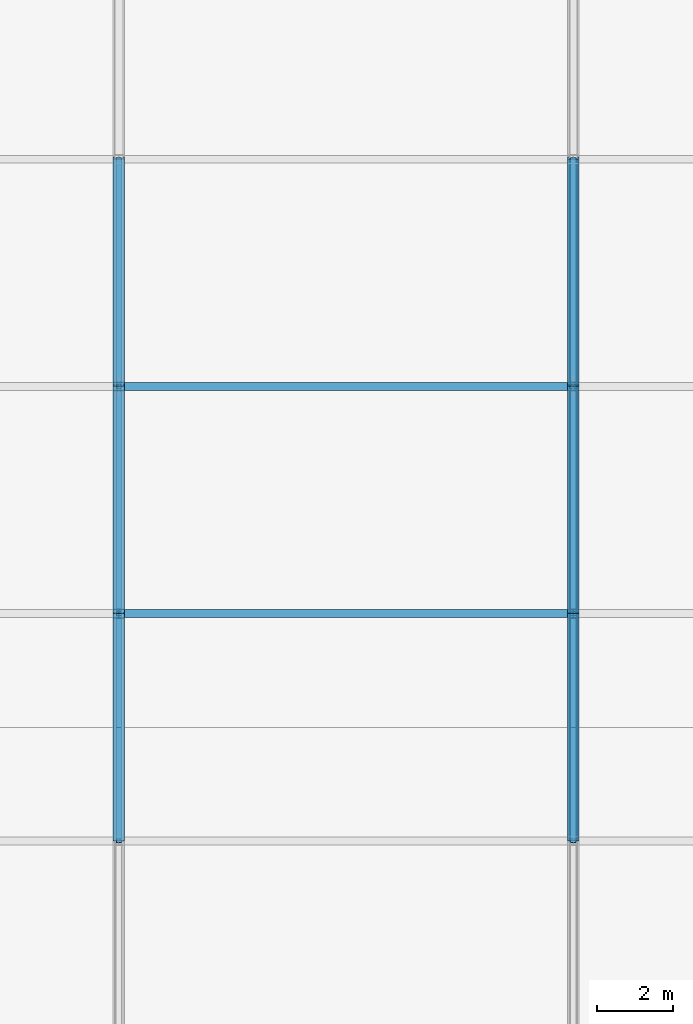
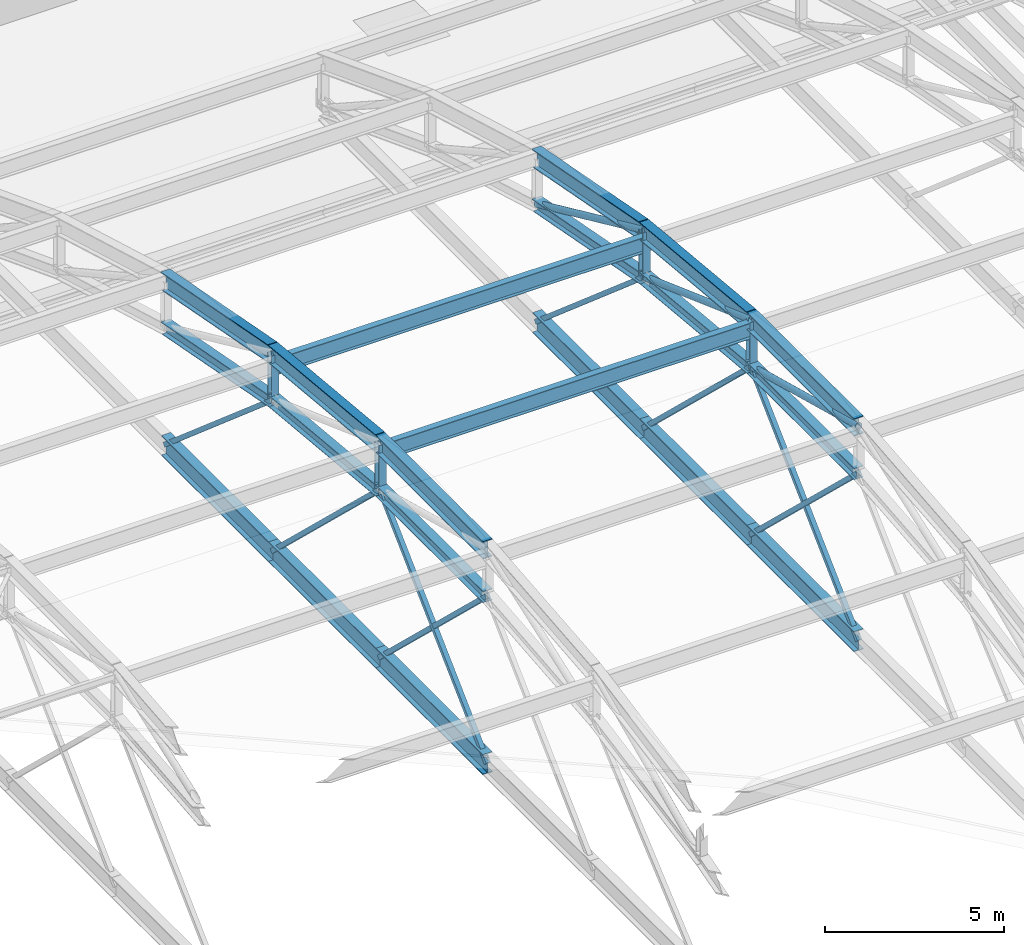
# One storey, part 88 of 204: 35 members.
"""IFC4 building model written with IfcOpenShell, lengths in metres."""

import ifcopenshell
import ifcopenshell.guid

model = None  # the IFC model being written
_history = None  # IfcOwnerHistory: only IFC2X3 demands one
_inside = {}  # id of a spatial element -> (the spatial element, [elements in it])
_under = {}  # id of a project, library or spatial element -> (it, [spatial elements below it])
_declared = {}  # id of a project -> (the project, [libraries it declares])
_typed = {}  # id of a type object -> (the type object, [elements of that type])
_made_of = {}  # id of a material, layer set ... -> (it, [elements and type objects made of it])


def new_model(schema):
    """Start an empty IFC model of exactly this schema.

    Asked for "IFC4X3", IfcOpenShell would pick the latest addendum, in which some entities
    have other attributes; the version numbers below select the first issue.
    IFC2X3 requires an IfcOwnerHistory on every rooted entity: one is made here for all.
    """
    global model, _history
    if schema == "IFC4X3":
        model = ifcopenshell.file(schema_version=(4, 3, 0, 0))
    else:
        model = ifcopenshell.file(schema=schema)
    _inside.clear()
    _under.clear()
    _declared.clear()
    _typed.clear()
    _made_of.clear()
    _history = None
    if model.schema == "IFC2X3":
        org = make("IfcOrganization", Name="unknown")
        user = make(
            "IfcPersonAndOrganization",
            ThePerson=make("IfcPerson", FamilyName="unknown"),
            TheOrganization=org,
        )
        app = make(
            "IfcApplication",
            ApplicationDeveloper=org,
            Version="unknown",
            ApplicationFullName="unknown",
            ApplicationIdentifier="unknown",
        )
        _history = make(
            "IfcOwnerHistory",
            OwningUser=user,
            OwningApplication=app,
            ChangeAction="ADDED",
            CreationDate=0,
        )
    return model


def make(cls, **values):
    """One entity of the class cls with the attributes given. An attribute that is None is left unset."""
    return model.create_entity(
        cls, **{name: value for name, value in values.items() if value is not None}
    )


def rooted(cls, **values):
    """An entity with a GlobalId (a new one), such as an element, a storey or a relation."""
    return make(cls, GlobalId=ifcopenshell.guid.new(), OwnerHistory=_history, **values)


def si_unit(unit_type, name, prefix=None):
    """IfcSIUnit, for example si_unit("LENGTHUNIT", "METRE", prefix="MILLI")."""
    return make("IfcSIUnit", UnitType=unit_type, Prefix=prefix, Name=name)


def assignment(units):
    """IfcUnitAssignment: the units of a project."""
    return None if units is None else make("IfcUnitAssignment", Units=units)


def point(xyz):
    """IfcCartesianPoint."""
    return None if xyz is None else make("IfcCartesianPoint", Coordinates=xyz)


def direction(xyz):
    """IfcDirection."""
    return None if xyz is None else make("IfcDirection", DirectionRatios=xyz)


def frame(location, z_axis=None, x_axis=None):
    """IfcAxis2Placement3D, a coordinate frame: its origin and axes. An axis left out is left unset."""
    return make(
        "IfcAxis2Placement3D",
        Location=point(location),
        Axis=direction(z_axis),
        RefDirection=direction(x_axis),
    )


def frame_2d(location, x_axis=None):
    """IfcAxis2Placement2D, a coordinate frame in the plane: its origin and x axis."""
    return make(
        "IfcAxis2Placement2D", Location=point(location), RefDirection=direction(x_axis)
    )


def origin():
    """The frame at (0, 0, 0) with its axes left unset."""
    return frame((0.0, 0.0, 0.0))


def origin_2d():
    """The frame at (0, 0) in the plane with its x axis left unset."""
    return frame_2d((0.0, 0.0))


def place(relative_to, where):
    """IfcLocalPlacement: puts the frame where relative to a parent placement (None: the world)."""
    return make(
        "IfcLocalPlacement", PlacementRelTo=relative_to, RelativePlacement=where
    )


def context(
    kind, dimensions, precision=None, world=None, true_north=None, identifier=None
):
    """IfcGeometricRepresentationContext, for example the 3D "Model" context."""
    return make(
        "IfcGeometricRepresentationContext",
        ContextIdentifier=identifier,
        ContextType=kind,
        CoordinateSpaceDimension=dimensions,
        Precision=precision,
        WorldCoordinateSystem=world,
        TrueNorth=true_north,
    )


def subcontext(parent, identifier, kind, view, scale=None):
    """IfcGeometricRepresentationSubContext, for example "Body" below "Model"."""
    return make(
        "IfcGeometricRepresentationSubContext",
        ContextIdentifier=identifier,
        ContextType=kind,
        ParentContext=parent,
        TargetScale=scale,
        TargetView=view,
    )


def project(units=None, contexts=None):
    """IfcProject with its units and contexts."""
    return rooted(
        "IfcProject",
        Name="project",
        RepresentationContexts=contexts,
        UnitsInContext=assignment(units),
    )


def spatial(cls, under=None, at=None, **own):
    """A site, building, storey or space (cls), placed at a placement, below another one or the project."""
    s = rooted(cls, ObjectPlacement=at, **own)
    if under is not None:
        _under.setdefault(under.id(), (under, []))[1].append(s)
    return s


def profile(cls, at=None, kind="AREA", **sizes):
    """A parametric profile (cls). Its sizes go by their IFC names, for example OverallWidth=200.0."""
    return make(cls, ProfileType=kind, Position=at, **sizes)


def hollow_rectangle(**sizes):
    """IfcRectangleHollowProfileDef."""
    return profile("IfcRectangleHollowProfileDef", **sizes)


def hollow_circle(**sizes):
    """IfcCircleHollowProfileDef."""
    return profile("IfcCircleHollowProfileDef", **sizes)


def i_section(**sizes):
    """IfcIShapeProfileDef."""
    return profile("IfcIShapeProfileDef", **sizes)


def extrude(swept, where, along, depth):
    """IfcExtrudedAreaSolid: the profile swept, set in the frame where, extruded along a direction by depth."""
    return make(
        "IfcExtrudedAreaSolid",
        SweptArea=swept,
        Position=where,
        ExtrudedDirection=direction(along),
        Depth=depth,
    )


def shape(context_of_items, identifier, shape_type, items):
    """IfcShapeRepresentation: the items that make up one representation, for example the "Body"."""
    return make(
        "IfcShapeRepresentation",
        ContextOfItems=context_of_items,
        RepresentationIdentifier=identifier,
        RepresentationType=shape_type,
        Items=items,
    )


def material(Name=None, Category=None):
    """IfcMaterial."""
    return make("IfcMaterial", Name=Name, Category=Category)


def material_profile(
    of_material, cross_section, Name=None, Category=None, Priority=None
):
    """IfcMaterialProfile: a cross section and its material."""
    return make(
        "IfcMaterialProfile",
        Name=Name,
        Material=of_material,
        Profile=cross_section,
        Priority=Priority,
        Category=Category,
    )


def profile_set(profiles, Name=None, composite=None):
    """IfcMaterialProfileSet."""
    return make(
        "IfcMaterialProfileSet",
        Name=Name,
        MaterialProfiles=profiles,
        CompositeProfile=composite,
    )


def made_of(thing, what):
    """Note that an element or type object is made of a material, layer set ...; save() writes the relation."""
    if what is not None:
        _made_of.setdefault(what.id(), (what, []))[1].append(thing)
    return thing


def type_object(cls, material=None, **own):
    """A type object (cls), such as IfcWallType, which elements share."""
    return made_of(rooted(cls, **own), material)


def element(
    cls,
    number,
    at=None,
    inside=None,
    cuts=None,
    type_object=None,
    material=None,
    context=None,
    identifier="Body",
    shape_type=None,
    held_by="IfcProductDefinitionShape",
    body=None,
    shapes=None,
    **own,
):
    """One element of the class cls, such as IfcWall. Its Tag is "e" and its number.

    at: its placement. inside: the storey or other place that contains it. cuts: it is an
    opening in that element (IfcRelVoidsElement). A single representation is given by context,
    identifier, shape_type and body (its items); several are given by shapes. held_by: the class
    of the entity that holds the representations. save() writes the other relations.
    """
    e = rooted(cls, Tag="e%d" % number, ObjectPlacement=at, **own)
    if body is not None:
        shapes = [shape(context, identifier, shape_type, body)]
    if shapes is not None:
        e.Representation = make(held_by, Representations=shapes)
    if inside is not None:
        _inside.setdefault(inside.id(), (inside, []))[1].append(e)
    if cuts is not None:
        rooted(
            "IfcRelVoidsElement", RelatingBuildingElement=cuts, RelatedOpeningElement=e
        )
    if type_object is not None:
        _typed.setdefault(type_object.id(), (type_object, []))[1].append(e)
    return made_of(e, material)


def aggregate(whole, parts):
    """IfcRelAggregates: a whole, such as a stair, and the parts it consists of."""
    return rooted("IfcRelAggregates", RelatingObject=whole, RelatedObjects=parts)


def save(model, path):
    """Write the relations noted so far, then the file.

    IfcRelAggregates (storeys below a building ...), IfcRelContainedInSpatialStructure (elements
    in a storey), IfcRelDefinesByType, IfcRelAssociatesMaterial and IfcRelDeclares: one each for
    every whole, place, type object, material and project.
    """
    for whole, parts in _under.values():
        aggregate(whole, parts)
    for where, things in _inside.values():
        rooted(
            "IfcRelContainedInSpatialStructure",
            RelatedElements=things,
            RelatingStructure=where,
        )
    for kind, things in _typed.values():
        rooted("IfcRelDefinesByType", RelatedObjects=things, RelatingType=kind)
    for what, things in _made_of.values():
        rooted("IfcRelAssociatesMaterial", RelatedObjects=things, RelatingMaterial=what)
    for by, libraries in _declared.values():
        rooted("IfcRelDeclares", RelatingContext=by, RelatedDefinitions=libraries)
    model.write(path)


model = new_model("IFC4")

# Units and contexts
model_context = context("Model", 3, precision=1e-05, world=origin(), true_north=direction((0.0, 1.0)))
body_context = subcontext(model_context, "Body", "Model", "MODEL_VIEW")
ifc_project = project(units=[si_unit("LENGTHUNIT", "METRE"), si_unit("AREAUNIT", "SQUARE_METRE"), si_unit("VOLUMEUNIT", "CUBIC_METRE"), si_unit("PLANEANGLEUNIT", "RADIAN"), si_unit("MASSUNIT", "GRAM", prefix="KILO")], contexts=[model_context])

# Site, building, storey
site_placement = place(None, origin())
site = spatial("IfcSite", under=ifc_project, at=site_placement, CompositionType="ELEMENT")
building_placement = place(site_placement, origin())
building = spatial("IfcBuilding", under=site, at=building_placement, Name="Zilviju Railside Exhibition Hall", CompositionType="ELEMENT")
storey_placement = place(building_placement, frame((0.0, 0.0, 21.0)))
storey = spatial("IfcBuildingStorey", under=building, at=storey_placement, Name="RF", CompositionType="ELEMENT", Elevation=21.0)

# Members
ifc_material = material(Name="Steel S355J2", Category="steel")
ifc_material_profile_1 = material_profile(ifc_material, hollow_circle(Radius=0.109619140625, WallThickness=0.010009765625, at=origin_2d()), Name="CHS 219.1x10.0")
ifc_profile_set_1 = profile_set([ifc_material_profile_1], Name="Steel S355J2")
member_type_1 = type_object("IfcMemberType", Name="TR-BR-CHS219", PredefinedType="BRACE", material=ifc_profile_set_1)
member_1_placement = place(storey_placement, frame((108.0, 108.0, 3.728515625), z_axis=(0.0, 0.966231024199, -0.25767733287), x_axis=(-1.0, 0.0, 0.0)))
element("IfcMember", 1, at=member_1_placement, inside=storey, type_object=member_type_1, Name="V2 Parabolic Arch Web Diagonal X=108.0 P5", PredefinedType="BRACE", context=body_context, shape_type="SweptSolid", body=[
    extrude(hollow_circle(Radius=0.109619140625, WallThickness=0.010009765625, at=origin_2d()), origin(), (0.0, 0.0, 1.0), 6.209716796875),
])
member_2_placement = place(storey_placement, frame((108.0, 114.0, 3.728515625), z_axis=(0.0, 0.940243888255, -0.340501733621), x_axis=(-1.0, 0.0, 0.0)))
element("IfcMember", 2, at=member_2_placement, inside=storey, type_object=member_type_1, Name="V2 Parabolic Arch Web Diagonal X=108.0 P6", PredefinedType="BRACE", context=body_context, shape_type="SweptSolid", body=[
    extrude(hollow_circle(Radius=0.109619140625, WallThickness=0.010009765625, at=origin_2d()), origin(), (0.0, 0.0, 1.0), 6.38134765625),
])
member_3_placement = place(storey_placement, frame((108.0, 120.0, 3.155517578125), z_axis=(0.0, 0.909316915895, -0.416104249518), x_axis=(-1.0, 0.0, 0.0)))
element("IfcMember", 3, at=member_3_placement, inside=storey, type_object=member_type_1, Name="V2 Parabolic Arch Web Diagonal X=108.0 P7", PredefinedType="BRACE", context=body_context, shape_type="SweptSolid", body=[
    extrude(hollow_circle(Radius=0.109619140625, WallThickness=0.010009765625, at=origin_2d()), origin(), (0.0, 0.0, 1.0), 6.598388671875),
])
ifc_material_profile_2 = material_profile(ifc_material, i_section(OverallWidth=0.300048828125, OverallDepth=0.39990234375, WebThickness=0.013427734375, FlangeThickness=0.02392578125, at=origin_2d()), Name="HEB 400")
ifc_profile_set_2 = profile_set([ifc_material_profile_2], Name="Steel S355J2")
member_type_2 = type_object("IfcMemberType", Name="TR-CH-HEB400", PredefinedType="CHORD", material=ifc_profile_set_2)
member_4_placement = place(storey_placement, frame((96.0, 108.0, 2.12841796875), z_axis=(0.0, 1.0, 0.0), x_axis=(-1.0, 0.0, 0.0)))
element("IfcMember", 4, at=member_4_placement, inside=storey, type_object=member_type_2, Name="V2 Parabolic Arch Bottom Chord X=96.0 P5", PredefinedType="CHORD", context=body_context, shape_type="SweptSolid", body=[
    extrude(i_section(OverallWidth=0.300048828125, OverallDepth=0.39990234375, WebThickness=0.013427734375, FlangeThickness=0.02392578125, at=origin_2d()), origin(), (0.0, 0.0, 1.0), 6.0),
])
member_5_placement = place(storey_placement, frame((96.0, 114.0, 2.12841796875), z_axis=(0.0, 0.995474695123, -0.095027003367), x_axis=(-1.0, 0.0, 0.0)))
element("IfcMember", 5, at=member_5_placement, inside=storey, type_object=member_type_2, Name="V2 Parabolic Arch Bottom Chord X=96.0 P6", PredefinedType="CHORD", context=body_context, shape_type="SweptSolid", body=[
    extrude(i_section(OverallWidth=0.300048828125, OverallDepth=0.39990234375, WebThickness=0.013427734375, FlangeThickness=0.02392578125, at=origin_2d()), origin(), (0.0, 0.0, 1.0), 6.02734375),
])
member_6_placement = place(storey_placement, frame((96.0, 120.0, 1.5556640625), z_axis=(0.0, 0.98225135267, -0.187569400964), x_axis=(-1.0, 0.0, 0.0)))
element("IfcMember", 6, at=member_6_placement, inside=storey, type_object=member_type_2, Name="V2 Parabolic Arch Bottom Chord X=96.0 P7", PredefinedType="CHORD", context=body_context, shape_type="SweptSolid", body=[
    extrude(i_section(OverallWidth=0.300048828125, OverallDepth=0.39990234375, WebThickness=0.013427734375, FlangeThickness=0.02392578125, at=origin_2d()), origin(), (0.0, 0.0, 1.0), 6.1083984375),
])
member_7_placement = place(storey_placement, frame((108.0, 108.0, 2.12841796875), z_axis=(0.0, 1.0, 0.0), x_axis=(-1.0, 0.0, 0.0)))
element("IfcMember", 7, at=member_7_placement, inside=storey, type_object=member_type_2, Name="V2 Parabolic Arch Bottom Chord X=108.0 P5", PredefinedType="CHORD", context=body_context, shape_type="SweptSolid", body=[
    extrude(i_section(OverallWidth=0.300048828125, OverallDepth=0.39990234375, WebThickness=0.013427734375, FlangeThickness=0.02392578125, at=origin_2d()), origin(), (0.0, 0.0, 1.0), 6.0),
])
member_8_placement = place(storey_placement, frame((108.0, 114.0, 2.12841796875), z_axis=(0.0, 0.995474695123, -0.095027003367), x_axis=(-1.0, 0.0, 0.0)))
element("IfcMember", 8, at=member_8_placement, inside=storey, type_object=member_type_2, Name="V2 Parabolic Arch Bottom Chord X=108.0 P6", PredefinedType="CHORD", context=body_context, shape_type="SweptSolid", body=[
    extrude(i_section(OverallWidth=0.300048828125, OverallDepth=0.39990234375, WebThickness=0.013427734375, FlangeThickness=0.02392578125, at=origin_2d()), origin(), (0.0, 0.0, 1.0), 6.02734375),
])
member_9_placement = place(storey_placement, frame((108.0, 120.0, 1.5556640625), z_axis=(0.0, 0.98225135267, -0.187569400964), x_axis=(-1.0, 0.0, 0.0)))
element("IfcMember", 9, at=member_9_placement, inside=storey, type_object=member_type_2, Name="V2 Parabolic Arch Bottom Chord X=108.0 P7", PredefinedType="CHORD", context=body_context, shape_type="SweptSolid", body=[
    extrude(i_section(OverallWidth=0.300048828125, OverallDepth=0.39990234375, WebThickness=0.013427734375, FlangeThickness=0.02392578125, at=origin_2d()), origin(), (0.0, 0.0, 1.0), 6.1083984375),
])
ifc_material_profile_3 = material_profile(ifc_material, i_section(OverallWidth=0.300048828125, OverallDepth=0.60009765625, WebThickness=0.015380859375, FlangeThickness=0.030029296875, at=origin_2d()), Name="HEB 600")
ifc_profile_set_3 = profile_set([ifc_material_profile_3], Name="Steel S355J2")
member_type_3 = type_object("IfcMemberType", Name="TR-CH-HEB600", PredefinedType="CHORD", material=ifc_profile_set_3)
member_10_placement = place(storey_placement, frame((96.0, 108.0, 3.728515625), z_axis=(0.0, 1.0, 0.0), x_axis=(-1.0, 0.0, 0.0)))
element("IfcMember", 10, at=member_10_placement, inside=storey, type_object=member_type_3, Name="V2 Parabolic Arch Top Chord X=96.0 P5", PredefinedType="CHORD", context=body_context, shape_type="SweptSolid", body=[
    extrude(i_section(OverallWidth=0.300048828125, OverallDepth=0.60009765625, WebThickness=0.015380859375, FlangeThickness=0.030029296875, at=origin_2d()), origin(), (0.0, 0.0, 1.0), 6.0),
])
member_11_placement = place(storey_placement, frame((96.0, 114.0, 3.728515625), z_axis=(0.0, 0.995470862587, -0.095067143331), x_axis=(-1.0, 0.0, 0.0)))
element("IfcMember", 11, at=member_11_placement, inside=storey, type_object=member_type_3, Name="V2 Parabolic Arch Top Chord X=96.0 P6", PredefinedType="CHORD", context=body_context, shape_type="SweptSolid", body=[
    extrude(i_section(OverallWidth=0.300048828125, OverallDepth=0.60009765625, WebThickness=0.015380859375, FlangeThickness=0.030029296875, at=origin_2d()), origin(), (0.0, 0.0, 1.0), 6.02734375),
])
member_12_placement = place(storey_placement, frame((96.0, 120.0, 3.155517578125), z_axis=(0.0, 0.98225135267, -0.187569400964), x_axis=(-1.0, 0.0, 0.0)))
element("IfcMember", 12, at=member_12_placement, inside=storey, type_object=member_type_3, Name="V2 Parabolic Arch Top Chord X=96.0 P7", PredefinedType="CHORD", context=body_context, shape_type="SweptSolid", body=[
    extrude(i_section(OverallWidth=0.300048828125, OverallDepth=0.60009765625, WebThickness=0.015380859375, FlangeThickness=0.030029296875, at=origin_2d()), origin(), (0.0, 0.0, 1.0), 6.1083984375),
])
member_13_placement = place(storey_placement, frame((108.0, 108.0, 3.728515625), z_axis=(0.0, 1.0, 0.0), x_axis=(-1.0, 0.0, 0.0)))
element("IfcMember", 13, at=member_13_placement, inside=storey, type_object=member_type_3, Name="V2 Parabolic Arch Top Chord X=108.0 P5", PredefinedType="CHORD", context=body_context, shape_type="SweptSolid", body=[
    extrude(i_section(OverallWidth=0.300048828125, OverallDepth=0.60009765625, WebThickness=0.015380859375, FlangeThickness=0.030029296875, at=origin_2d()), origin(), (0.0, 0.0, 1.0), 6.0),
])
member_14_placement = place(storey_placement, frame((108.0, 114.0, 3.728515625), z_axis=(0.0, 0.995470862587, -0.095067143331), x_axis=(-1.0, 0.0, 0.0)))
element("IfcMember", 14, at=member_14_placement, inside=storey, type_object=member_type_3, Name="V2 Parabolic Arch Top Chord X=108.0 P6", PredefinedType="CHORD", context=body_context, shape_type="SweptSolid", body=[
    extrude(i_section(OverallWidth=0.300048828125, OverallDepth=0.60009765625, WebThickness=0.015380859375, FlangeThickness=0.030029296875, at=origin_2d()), origin(), (0.0, 0.0, 1.0), 6.02734375),
])
member_15_placement = place(storey_placement, frame((108.0, 120.0, 3.155517578125), z_axis=(0.0, 0.98225135267, -0.187569400964), x_axis=(-1.0, 0.0, 0.0)))
element("IfcMember", 15, at=member_15_placement, inside=storey, type_object=member_type_3, Name="V2 Parabolic Arch Top Chord X=108.0 P7", PredefinedType="CHORD", context=body_context, shape_type="SweptSolid", body=[
    extrude(i_section(OverallWidth=0.300048828125, OverallDepth=0.60009765625, WebThickness=0.015380859375, FlangeThickness=0.030029296875, at=origin_2d()), origin(), (0.0, 0.0, 1.0), 6.1083984375),
])
ifc_material_profile_4 = material_profile(ifc_material, i_section(OverallWidth=0.239990234375, OverallDepth=0.22998046875, WebThickness=0.007568359375, FlangeThickness=0.011962890625, at=origin_2d()), Name="HEA 240")
ifc_profile_set_4 = profile_set([ifc_material_profile_4], Name="Steel S355J2")
member_type_4 = type_object("IfcMemberType", Name="TR-POST-HEA240", PredefinedType="POST", material=ifc_profile_set_4)
member_16_placement = place(storey_placement, frame((96.0, 114.0, 2.12841796875), z_axis=(0.0, 0.0, 1.0), x_axis=(1.0, 0.0, 0.0)))
element("IfcMember", 16, at=member_16_placement, inside=storey, type_object=member_type_4, Name="V2 Parabolic Arch Web Post X=96.0 N5", PredefinedType="POST", context=body_context, shape_type="SweptSolid", body=[
    extrude(i_section(OverallWidth=0.239990234375, OverallDepth=0.22998046875, WebThickness=0.007568359375, FlangeThickness=0.011962890625, at=origin_2d()), origin(), (0.0, 0.0, 1.0), 1.60009765625),
])
member_17_placement = place(storey_placement, frame((96.0, 120.0, 1.5556640625), z_axis=(0.0, 0.0, 1.0), x_axis=(1.0, 0.0, 0.0)))
element("IfcMember", 17, at=member_17_placement, inside=storey, type_object=member_type_4, Name="V2 Parabolic Arch Web Post X=96.0 N6", PredefinedType="POST", context=body_context, shape_type="SweptSolid", body=[
    extrude(i_section(OverallWidth=0.239990234375, OverallDepth=0.22998046875, WebThickness=0.007568359375, FlangeThickness=0.011962890625, at=origin_2d()), origin(), (0.0, 0.0, 1.0), 1.599853515625),
])
member_18_placement = place(storey_placement, frame((108.0, 114.0, 2.12841796875), z_axis=(0.0, 0.0, 1.0), x_axis=(1.0, 0.0, 0.0)))
element("IfcMember", 18, at=member_18_placement, inside=storey, type_object=member_type_4, Name="V2 Parabolic Arch Web Post X=108.0 N5", PredefinedType="POST", context=body_context, shape_type="SweptSolid", body=[
    extrude(i_section(OverallWidth=0.239990234375, OverallDepth=0.22998046875, WebThickness=0.007568359375, FlangeThickness=0.011962890625, at=origin_2d()), origin(), (0.0, 0.0, 1.0), 1.60009765625),
])
member_19_placement = place(storey_placement, frame((108.0, 120.0, 1.5556640625), z_axis=(0.0, 0.0, 1.0), x_axis=(1.0, 0.0, 0.0)))
element("IfcMember", 19, at=member_19_placement, inside=storey, type_object=member_type_4, Name="V2 Parabolic Arch Web Post X=108.0 N6", PredefinedType="POST", context=body_context, shape_type="SweptSolid", body=[
    extrude(i_section(OverallWidth=0.239990234375, OverallDepth=0.22998046875, WebThickness=0.007568359375, FlangeThickness=0.011962890625, at=origin_2d()), origin(), (0.0, 0.0, 1.0), 1.599853515625),
])
ifc_material_profile_5 = material_profile(ifc_material, hollow_rectangle(XDim=0.14990234375, YDim=0.14990234375, WallThickness=0.008056640625, at=origin_2d()), Name="SHS 150x150x8.0")
ifc_profile_set_5 = profile_set([ifc_material_profile_5], Name="Steel S355J2")
member_type_5 = type_object("IfcMemberType", Name="TR-POST-SHS150", PredefinedType="POST", material=ifc_profile_set_5)
for number, where, z_axis, x_axis, name in (
    (20, (96.0, 108.0, -3.60009765625), (0.0, 0.723280707221, 0.690554138763), (-1.0, 0.0, 0.0), "V2 Arch Tie Hanger X=96.0 N4"),
    (21, (96.0, 114.0, -3.60009765625), (0.0, -0.723280707221, 0.690554138763), (1.0, 0.0, 0.0), "V2 Arch Tie Hanger X=96.0 N5"),
    (22, (96.0, 120.0, -3.60009765625), (0.0, -0.723280707221, 0.690554138763), (1.0, 0.0, 0.0), "V2 Arch Tie Hanger X=96.0 N6"),
):
    element("IfcMember", number, at=place(storey_placement, frame(where, z_axis=z_axis, x_axis=x_axis)), inside=storey, type_object=member_type_5, Name=name, PredefinedType="POST", context=body_context, shape_type="SweptSolid", body=[
        extrude(hollow_rectangle(XDim=0.14990234375, YDim=0.14990234375, WallThickness=0.008056640625, at=origin_2d()), origin(), (0.0, 0.0, 1.0), 8.295654296875),
    ])
member_20_placement = place(storey_placement, frame((96.0, 126.0, -3.60009765625), z_axis=(0.0, -0.758449992634, 0.651731239602), x_axis=(1.0, 0.0, 0.0)))
element("IfcMember", 23, at=member_20_placement, inside=storey, type_object=member_type_5, Name="V2 Arch Tie Hanger X=96.0 N7", PredefinedType="POST", context=body_context, shape_type="SweptSolid", body=[
    extrude(hollow_rectangle(XDim=0.14990234375, YDim=0.14990234375, WallThickness=0.008056640625, at=origin_2d()), origin(), (0.0, 0.0, 1.0), 7.910888671875),
])
for number, where, z_axis, x_axis, name in (
    (24, (108.0, 108.0, -3.60009765625), (0.0, 0.723280707221, 0.690554138763), (-1.0, 0.0, 0.0), "V2 Arch Tie Hanger X=108.0 N4"),
    (25, (108.0, 114.0, -3.60009765625), (0.0, -0.723280707221, 0.690554138763), (1.0, 0.0, 0.0), "V2 Arch Tie Hanger X=108.0 N5"),
    (26, (108.0, 120.0, -3.60009765625), (0.0, -0.723280707221, 0.690554138763), (1.0, 0.0, 0.0), "V2 Arch Tie Hanger X=108.0 N6"),
):
    element("IfcMember", number, at=place(storey_placement, frame(where, z_axis=z_axis, x_axis=x_axis)), inside=storey, type_object=member_type_5, Name=name, PredefinedType="POST", context=body_context, shape_type="SweptSolid", body=[
        extrude(hollow_rectangle(XDim=0.14990234375, YDim=0.14990234375, WallThickness=0.008056640625, at=origin_2d()), origin(), (0.0, 0.0, 1.0), 8.295654296875),
    ])
member_21_placement = place(storey_placement, frame((108.0, 126.0, -3.60009765625), z_axis=(0.0, -0.758449992634, 0.651731239602), x_axis=(1.0, 0.0, 0.0)))
element("IfcMember", 27, at=member_21_placement, inside=storey, type_object=member_type_5, Name="V2 Arch Tie Hanger X=108.0 N7", PredefinedType="POST", context=body_context, shape_type="SweptSolid", body=[
    extrude(hollow_rectangle(XDim=0.14990234375, YDim=0.14990234375, WallThickness=0.008056640625, at=origin_2d()), origin(), (0.0, 0.0, 1.0), 7.910888671875),
])
ifc_material_profile_6 = material_profile(ifc_material, i_section(OverallWidth=0.2099609375, OverallDepth=0.550048828125, WebThickness=0.010986328125, FlangeThickness=0.01708984375, at=origin_2d()), Name="IPE 550")
ifc_profile_set_6 = profile_set([ifc_material_profile_6], Name="Steel S355J2")
member_type_6 = type_object("IfcMemberType", Name="TR-PUR-IPE550", PredefinedType="PURLIN", material=ifc_profile_set_6)
for number, where, z_axis, x_axis, name in (
    (28, (96.0, 114.0, 3.4326171875), (1.0, 0.0, 0.0), (0.0, 1.0, 0.0), "V2 Barrel Vault Roof Purlin Y=114.0 (96.0..108.0)"),
    (29, (96.0, 120.0, 2.716796875), (1.0, 0.0, 0.0), (0.0, 1.0, 0.0), "V2 Barrel Vault Roof Purlin Y=120.0 (96.0..108.0)"),
):
    element("IfcMember", number, at=place(storey_placement, frame(where, z_axis=z_axis, x_axis=x_axis)), inside=storey, type_object=member_type_6, Name=name, PredefinedType="PURLIN", context=body_context, shape_type="SweptSolid", body=[
        extrude(i_section(OverallWidth=0.2099609375, OverallDepth=0.550048828125, WebThickness=0.010986328125, FlangeThickness=0.01708984375, at=origin_2d()), origin(), (0.0, 0.0, 1.0), 12.0),
    ])
ifc_material_profile_7 = material_profile(ifc_material, i_section(OverallWidth=0.300048828125, OverallDepth=0.699951171875, WebThickness=0.01708984375, FlangeThickness=0.031982421875, at=origin_2d()), Name="HEB 700")
ifc_profile_set_7 = profile_set([ifc_material_profile_7], Name="Steel S355J2")
member_type_7 = type_object("IfcMemberType", Name="TR-TIE-HEB700", PredefinedType="CHORD", material=ifc_profile_set_7)
for number, where, z_axis, x_axis, name in (
    (30, (96.0, 108.0, -3.60009765625), (0.0, 1.0, 0.0), (-1.0, 0.0, 0.0), "V2 Arch Tie Member X=96.0"),
    (31, (96.0, 114.0, -3.60009765625), (0.0, 1.0, 0.0), (-1.0, 0.0, 0.0), "V2 Arch Tie Member X=96.0"),
    (32, (96.0, 120.0, -3.60009765625), (0.0, 1.0, 0.0), (-1.0, 0.0, 0.0), "V2 Arch Tie Member X=96.0"),
    (33, (108.0, 108.0, -3.60009765625), (0.0, 1.0, 0.0), (-1.0, 0.0, 0.0), "V2 Arch Tie Member X=108.0"),
    (34, (108.0, 114.0, -3.60009765625), (0.0, 1.0, 0.0), (-1.0, 0.0, 0.0), "V2 Arch Tie Member X=108.0"),
    (35, (108.0, 120.0, -3.60009765625), (0.0, 1.0, 0.0), (-1.0, 0.0, 0.0), "V2 Arch Tie Member X=108.0"),
):
    element("IfcMember", number, at=place(storey_placement, frame(where, z_axis=z_axis, x_axis=x_axis)), inside=storey, type_object=member_type_7, Name=name, PredefinedType="CHORD", context=body_context, shape_type="SweptSolid", body=[
        extrude(i_section(OverallWidth=0.300048828125, OverallDepth=0.699951171875, WebThickness=0.01708984375, FlangeThickness=0.031982421875, at=origin_2d()), origin(), (0.0, 0.0, 1.0), 6.0),
    ])

save(model, "model.ifc")
